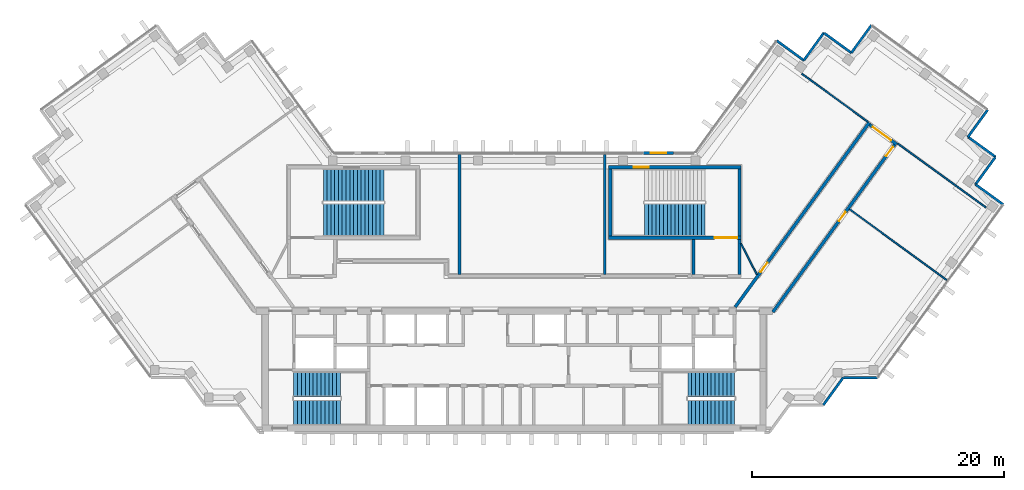
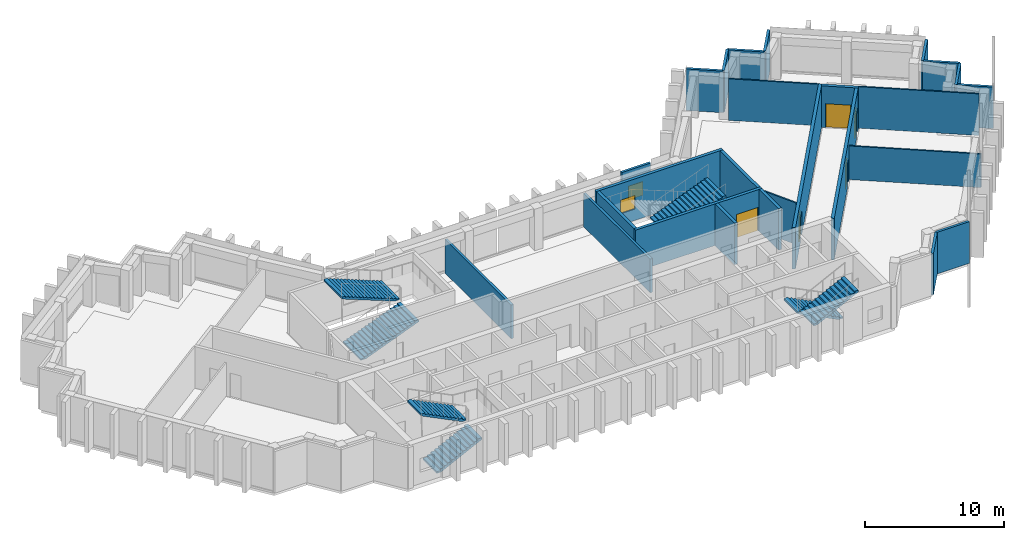
# One storey, part 7 of 10: 26 walls, 7 stair flights, 5 doors, 2 windows, 7 openings, 4 elements without a shape of their own.
"""IFC4 building model written with IfcOpenShell, lengths in metres."""

from ifc_helpers import new_model, si_unit, direction, frame, frame_2d, origin, place, context, subcontext, project, spatial, polyline, rectangle, outline, extrude, material, layer, layer_set, type_object, element, fill, aggregate, save


model = new_model("IFC4")

# Units and contexts
model_context = context("Model", 3, precision=1e-05, world=origin(), true_north=direction((0.0, 1.0)))
body_context = subcontext(model_context, "Body", "Model", "MODEL_VIEW")
ifc_project = project(units=[si_unit("LENGTHUNIT", "METRE"), si_unit("AREAUNIT", "SQUARE_METRE"), si_unit("VOLUMEUNIT", "CUBIC_METRE"), si_unit("PLANEANGLEUNIT", "RADIAN"), si_unit("MASSUNIT", "GRAM", prefix="KILO")], contexts=[model_context])

# Site, building, storey
site_placement = place(None, origin())
site = spatial("IfcSite", under=ifc_project, at=site_placement, CompositionType="ELEMENT")
building_placement = place(site_placement, origin())
building = spatial("IfcBuilding", under=site, at=building_placement, Name="Quipu Civic Tower", CompositionType="ELEMENT")
storey_placement = place(building_placement, frame((0.0, 0.0, 327.0)))
storey = spatial("IfcBuildingStorey", under=building, at=storey_placement, Name="L76", CompositionType="ELEMENT", Elevation=327.0)

# Walls
ifc_material_1 = material(Name="Fired clay blockwork", Category="masonry")
ifc_layer_1 = layer(ifc_material_1, 0.199951171875)
ifc_layer_set_1 = layer_set([ifc_layer_1], Name="Fired clay blockwork")
wall_type_1 = type_object("IfcWallType", Name="Blockwork wall 200", PredefinedType="SOLIDWALL", material=ifc_layer_set_1)
for number, where, z_axis, x_axis, name in (
    (1, (-4.339111328125, 1.449951171875, 0.0), (0.0, 0.0, 1.0), (0.0, 1.0, 0.0), "Partition P04"),
    (2, (7.197998046875, 1.449951171875, 0.0), (0.0, 0.0, 1.0), (-0.002377476217, 0.999997173799, 0.0), "Partition P08"),
):
    element("IfcWall", number, at=place(storey_placement, frame(where, z_axis=z_axis, x_axis=x_axis)), inside=storey, type_object=wall_type_1, Name=name, PredefinedType="SOLIDWALL", context=body_context, shape_type="SweptSolid", body=[
        extrude(rectangle(XDim=9.550048828125, YDim=0.199951171875, at=frame_2d((4.77490234375, 0.0))), origin(), (0.0, 0.0, 1.0), 2.949951171875),
    ])
ifc_material_2 = material(Name="Concrete C70/85", Category="concrete")
ifc_layer_2 = layer(ifc_material_2, 0.25)
ifc_layer_set_2 = layer_set([ifc_layer_2], Name="Concrete C70/85")
wall_type_2 = type_object("IfcWallType", Name="Core wall 250", PredefinedType="SHEAR", material=ifc_layer_set_2)
for number, where, z_axis, x_axis, name in (
    (3, (14.22509765625, 1.449951171875, 0.0), (0.0, 0.0, 1.0), (0.0, 1.0, 0.0), "Core wall"),
    (4, (17.875, 1.449951171875, 0.0), (0.0, 0.0, 1.0), (0.0, 1.0, 0.0), "Core wall"),
):
    element("IfcWall", number, at=place(storey_placement, frame(where, z_axis=z_axis, x_axis=x_axis)), inside=storey, type_object=wall_type_2, Name=name, PredefinedType="SHEAR", context=body_context, shape_type="SweptSolid", body=[
        extrude(rectangle(XDim=2.800048828125, YDim=0.25, at=frame_2d((1.39990234375, 0.0))), origin(), (0.0, 0.0, 1.0), 3.64990234375),
    ])

# Wall, opening, door
wall_1_placement = place(storey_placement, frame((7.5, 4.375, 0.0), z_axis=(0.0, 0.0, 1.0), x_axis=(1.0, 0.0, 0.0)))
wall_1 = element("IfcWall", 5, at=wall_1_placement, inside=storey, type_object=wall_type_2, Name="Core wall", PredefinedType="SHEAR", context=body_context, shape_type="SweptSolid", body=[
    extrude(rectangle(XDim=10.5, YDim=0.25, at=frame_2d((5.25, 0.0))), origin(), (0.0, 0.0, 1.0), 3.64990234375),
])
opening_1_placement = place(wall_1_placement, frame((8.39990234375, 0.0, 0.0)))
opening_1 = element("IfcOpeningElement", 6, at=opening_1_placement, cuts=wall_1, Name="Opening CD-31", PredefinedType="OPENING", context=body_context, shape_type="SweptSolid", body=[
    extrude(rectangle(XDim=1.800048828125, YDim=2.10009765625, at=frame_2d((0.89990234375, 1.050048828125))), frame((0.0, 0.135009765625, 0.0), z_axis=(0.0, -1.0, 0.0), x_axis=(1.0, 0.0, 0.0)), (0.0, 0.0, 1.0), 0.27001953125),
])
ifc_material_3 = material(Name="Fire rated steel door", Category="steel")
door_type_1 = type_object("IfcDoorType", Name="Fire door FD90 double 1800 x 2100", OperationType="NOTDEFINED", PredefinedType="DOOR", material=ifc_material_3)
door_1_placement = place(opening_1_placement, origin())
door_1 = element("IfcDoor", 7, at=door_1_placement, inside=storey, type_object=door_type_1, Name="Door", OperationType="DOUBLE_DOOR_SINGLE_SWING", OverallHeight=2.10009765625, OverallWidth=1.800048828125, PredefinedType="DOOR", context=body_context, shape_type="SweptSolid", body=[
    extrude(rectangle(XDim=1.800048828125, YDim=2.10009765625, at=frame_2d((0.89990234375, 1.050048828125))), frame((0.0, 0.02490234375, 0.0), z_axis=(0.0, -1.0, 0.0), x_axis=(1.0, 0.0, 0.0)), (0.0, 0.0, 1.0), 0.050048828125),
])
fill(opening_1, door_1)

# Walls
for number, where, z_axis, x_axis, name in (
    (8, (7.625, 4.5, 0.0), (0.0, 0.0, 1.0), (0.0, 1.0, 0.0), "Core wall"),
    (9, (17.875, 4.5, 0.0), (0.0, 0.0, 1.0), (0.0, 1.0, 0.0), "Core wall"),
):
    element("IfcWall", number, at=place(storey_placement, frame(where, z_axis=z_axis, x_axis=x_axis)), inside=storey, type_object=wall_type_2, Name=name, PredefinedType="SHEAR", context=body_context, shape_type="SweptSolid", body=[
        extrude(rectangle(XDim=5.35009765625, YDim=0.25, at=frame_2d((2.675048828125, 0.0))), origin(), (0.0, 0.0, 1.0), 3.64990234375),
    ])

# Wall, opening, window
wall_2_placement = place(storey_placement, frame((7.5, 9.97509765625, 0.0), z_axis=(0.0, 0.0, 1.0), x_axis=(1.0, 0.0, 0.0)))
wall_2 = element("IfcWall", 10, at=wall_2_placement, inside=storey, type_object=wall_type_2, Name="Core wall", PredefinedType="SHEAR", context=body_context, shape_type="SweptSolid", body=[
    extrude(rectangle(XDim=10.5, YDim=0.25, at=frame_2d((5.25, 0.0))), origin(), (0.0, 0.0, 1.0), 3.64990234375),
])
opening_2_placement = place(wall_2_placement, frame((2.0, 0.0, 1.0)))
opening_2 = element("IfcOpeningElement", 11, at=opening_2_placement, cuts=wall_2, Name="Opening SV-4", PredefinedType="OPENING", context=body_context, shape_type="SweptSolid", body=[
    extrude(rectangle(XDim=1.199951171875, YDim=1.199951171875, at=frame_2d((0.60009765625, 0.60009765625))), frame((0.0, 0.135009765625, 0.0), z_axis=(0.0, -1.0, 0.0), x_axis=(1.0, 0.0, 0.0)), (0.0, 0.0, 1.0), 0.27001953125),
])
ifc_material_4 = material(Name="Aluminium louvre", Category="aluminium")
window_type_1 = type_object("IfcWindowType", Name="Stair ventilation louvre 1200 x 1200", PartitioningType="SINGLE_PANEL", PredefinedType="WINDOW", material=ifc_material_4)
window_1_placement = place(opening_2_placement, origin())
window_1 = element("IfcWindow", 12, at=window_1_placement, inside=storey, type_object=window_type_1, Name="Stair ventilation opening", OverallHeight=1.199951171875, OverallWidth=1.199951171875, PartitioningType="SINGLE_PANEL", PredefinedType="WINDOW", context=body_context, shape_type="SweptSolid", body=[
    extrude(rectangle(XDim=1.199951171875, YDim=1.199951171875, at=frame_2d((0.60009765625, 0.60009765625))), frame((0.0, 0.030029296875, 0.0), z_axis=(0.0, -1.0, 0.0), x_axis=(1.0, 0.0, 0.0)), (0.0, 0.0, 1.0), 0.06005859375),
])
fill(opening_2, window_1)

# Wall, opening, door
ifc_material_5 = material(Name="Concrete C50/60", Category="concrete")
ifc_layer_3 = layer(ifc_material_5, 0.25)
ifc_layer_set_3 = layer_set([ifc_layer_3], Name="Concrete C50/60")
wall_type_3 = type_object("IfcWallType", Name="Corridor wall 250 concrete", PredefinedType="SOLIDWALL", material=ifc_layer_set_3)
wall_3_placement = place(storey_placement, frame((17.544921875, -1.124755859375, 0.0), z_axis=(0.0, 0.0, 1.0), x_axis=(0.58779555165, 0.809009511354, 0.0)))
wall_3 = element("IfcWall", 13, at=wall_3_placement, inside=storey, type_object=wall_type_3, Name="Corridor wall C01", PredefinedType="SOLIDWALL", context=body_context, shape_type="SweptSolid", body=[
    extrude(rectangle(XDim=18.10302734375, YDim=0.25, at=frame_2d((9.051513671875, 0.0))), origin(), (0.0, 0.0, 1.0), 3.64990234375),
])
opening_3_placement = place(wall_3_placement, frame((3.44140625, 0.0, 0.0)))
opening_3 = element("IfcOpeningElement", 14, at=opening_3_placement, cuts=wall_3, Name="Opening D001", PredefinedType="OPENING", context=body_context, shape_type="SweptSolid", body=[
    extrude(rectangle(XDim=0.89990234375, YDim=2.10009765625, at=frame_2d((0.449951171875, 1.050048828125))), frame((0.0, 0.135009765625, 0.0), z_axis=(0.0, -1.0, 0.0), x_axis=(1.0, 0.0, 0.0)), (0.0, 0.0, 1.0), 0.27001953125),
])
ifc_material_6 = material(Name="Fire rated timber door set with metal frame", Category="wood")
door_type_2 = type_object("IfcDoorType", Name="Single door 900 x 2100 FD60", OperationType="NOTDEFINED", PredefinedType="DOOR", material=ifc_material_6)
door_2_placement = place(opening_3_placement, origin())
door_2 = element("IfcDoor", 15, at=door_2_placement, inside=storey, type_object=door_type_2, Name="Door D001", OperationType="SINGLE_SWING_LEFT", OverallHeight=2.10009765625, OverallWidth=0.89990234375, PredefinedType="DOOR", context=body_context, shape_type="SweptSolid", body=[
    extrude(rectangle(XDim=0.89990234375, YDim=2.10009765625, at=frame_2d((0.449951171875, 1.050048828125))), frame((0.0, 0.02490234375, 0.0), z_axis=(0.0, -1.0, 0.0), x_axis=(1.0, 0.0, 0.0)), (0.0, 0.0, 1.0), 0.050048828125),
])
fill(opening_3, door_2)

wall_4_placement = place(storey_placement, frame((28.21337890625, 13.34619140625, 0.0), z_axis=(0.0, 0.0, 1.0), x_axis=(0.809006914995, -0.587799125119, 0.0)))
wall_4 = element("IfcWall", 16, at=wall_4_placement, inside=storey, type_object=wall_type_3, Name="Corridor wall C02", PredefinedType="SOLIDWALL", context=body_context, shape_type="SweptSolid", body=[
    extrude(rectangle(XDim=2.64990234375, YDim=0.25, at=frame_2d((1.324951171875, 0.0))), origin(), (0.0, 0.0, 1.0), 3.64990234375),
])
opening_4_placement = place(wall_4_placement, frame((0.30029296875, 0.0, 0.0)))
opening_4 = element("IfcOpeningElement", 17, at=opening_4_placement, cuts=wall_4, Name="Opening D004", PredefinedType="OPENING", context=body_context, shape_type="SweptSolid", body=[
    extrude(rectangle(XDim=1.800048828125, YDim=2.10009765625, at=frame_2d((0.89990234375, 1.050048828125))), frame((0.0, 0.135009765625, 0.0), z_axis=(0.0, -1.0, 0.0), x_axis=(1.0, 0.0, 0.0)), (0.0, 0.0, 1.0), 0.27001953125),
])
ifc_material_7 = material(Name="Fire rated timber door set with metal frame", Category="wood")
door_type_3 = type_object("IfcDoorType", Name="Double door 1800 x 2100 FD60", OperationType="DOUBLE_DOOR_SINGLE_SWING", PredefinedType="DOOR", material=ifc_material_7)
door_3_placement = place(opening_4_placement, origin())
door_3 = element("IfcDoor", 18, at=door_3_placement, inside=storey, type_object=door_type_3, Name="Door D004", OperationType="DOUBLE_DOOR_SINGLE_SWING", OverallHeight=2.10009765625, OverallWidth=1.800048828125, PredefinedType="DOOR", context=body_context, shape_type="SweptSolid", body=[
    extrude(rectangle(XDim=1.800048828125, YDim=2.10009765625, at=frame_2d((0.89990234375, 1.050048828125))), frame((0.0, 0.02490234375, 0.0), z_axis=(0.0, -1.0, 0.0), x_axis=(1.0, 0.0, 0.0)), (0.0, 0.0, 1.0), 0.050048828125),
])
fill(opening_4, door_3)

# Wall, openings, doors
wall_5_placement = place(storey_placement, frame((30.1826171875, 11.760986328125, 0.0), z_axis=(0.0, 0.0, 1.0), x_axis=(-0.587781762867, -0.80901952958, 0.0)))
wall_5 = element("IfcWall", 19, at=wall_5_placement, inside=storey, type_object=wall_type_3, Name="Corridor wall C03", PredefinedType="SOLIDWALL", context=body_context, shape_type="SweptSolid", body=[
    extrude(rectangle(XDim=16.42041015625, YDim=0.25, at=frame_2d((8.210205078125, 0.0))), origin(), (0.0, 0.0, 1.0), 3.64990234375),
])
opening_5_placement = place(wall_5_placement, frame((0.224609375, 0.0, 0.0)))
opening_5 = element("IfcOpeningElement", 20, at=opening_5_placement, cuts=wall_5, Name="Opening D003", PredefinedType="OPENING", context=body_context, shape_type="SweptSolid", body=[
    extrude(rectangle(XDim=0.89990234375, YDim=2.10009765625, at=frame_2d((0.449951171875, 1.050048828125))), frame((0.0, 0.135009765625, 0.0), z_axis=(0.0, -1.0, 0.0), x_axis=(1.0, 0.0, 0.0)), (0.0, 0.0, 1.0), 0.27001953125),
])
opening_6_placement = place(wall_5_placement, frame((6.604736328125, 0.0, 0.0)))
opening_6 = element("IfcOpeningElement", 21, at=opening_6_placement, cuts=wall_5, Name="Opening D002", PredefinedType="OPENING", context=body_context, shape_type="SweptSolid", body=[
    extrude(rectangle(XDim=0.89990234375, YDim=2.10009765625, at=frame_2d((0.449951171875, 1.050048828125))), frame((0.0, 0.135009765625, 0.0), z_axis=(0.0, -1.0, 0.0), x_axis=(1.0, 0.0, 0.0)), (0.0, 0.0, 1.0), 0.27001953125),
])
door_4_placement = place(opening_5_placement, origin())
door_4 = element("IfcDoor", 22, at=door_4_placement, inside=storey, type_object=door_type_2, Name="Door D003", OperationType="SINGLE_SWING_LEFT", OverallHeight=2.10009765625, OverallWidth=0.89990234375, PredefinedType="DOOR", context=body_context, shape_type="SweptSolid", body=[
    extrude(rectangle(XDim=0.89990234375, YDim=2.10009765625, at=frame_2d((0.449951171875, 1.050048828125))), frame((0.0, 0.02490234375, 0.0), z_axis=(0.0, -1.0, 0.0), x_axis=(1.0, 0.0, 0.0)), (0.0, 0.0, 1.0), 0.050048828125),
])
fill(opening_5, door_4)
door_5_placement = place(opening_6_placement, origin())
door_5 = element("IfcDoor", 23, at=door_5_placement, inside=storey, type_object=door_type_2, Name="Door D002", OperationType="SINGLE_SWING_LEFT", OverallHeight=2.10009765625, OverallWidth=0.89990234375, PredefinedType="DOOR", context=body_context, shape_type="SweptSolid", body=[
    extrude(rectangle(XDim=0.89990234375, YDim=2.10009765625, at=frame_2d((0.449951171875, 1.050048828125))), frame((0.0, 0.02490234375, 0.0), z_axis=(0.0, -1.0, 0.0), x_axis=(1.0, 0.0, 0.0)), (0.0, 0.0, 1.0), 0.050048828125),
])
fill(opening_6, door_5)

# Walls
ifc_material_8 = material(Name="Gypsum plasterboard on light gauge framing")
ifc_layer_4 = layer(ifc_material_8, 0.1201171875)
ifc_layer_set_4 = layer_set([ifc_layer_4], Name="Gypsum plasterboard on light gauge framing")
wall_type_4 = type_object("IfcWallType", Name="Partition 120 plasterboard", PredefinedType="PARTITIONING", material=ifc_layer_set_4)
wall_6_placement = place(storey_placement, frame((28.0732421875, 13.577880859375, 0.0), z_axis=(0.0, 0.0, 1.0), x_axis=(-0.809000932727, 0.587807358619, 0.0)))
element("IfcWall", 24, at=wall_6_placement, inside=storey, type_object=wall_type_4, Name="Partition P01", PredefinedType="PARTITIONING", context=body_context, shape_type="SweptSolid", body=[
    extrude(rectangle(XDim=6.49560546875, YDim=0.1201171875, at=frame_2d((3.247802734375, 0.0))), origin(), (0.0, 0.0, 1.0), 3.64990234375),
])
wall_7_placement = place(storey_placement, frame((37.4580078125, 6.759765625, 0.0), z_axis=(0.0, 0.0, 1.0), x_axis=(-0.809016295501, 0.587786214209, 0.0)))
element("IfcWall", 25, at=wall_7_placement, inside=storey, type_object=wall_type_4, Name="Partition P02", PredefinedType="PARTITIONING", context=body_context, shape_type="SweptSolid", body=[
    extrude(rectangle(XDim=8.700439453125, YDim=0.1201171875, at=frame_2d((4.35009765625, 0.0))), origin(), (0.0, 0.0, 1.0), 3.64990234375),
])
wall_8_placement = place(storey_placement, frame((26.618896484375, 6.643310546875, 0.0), z_axis=(0.0, 0.0, 1.0), x_axis=(0.807594822539, -0.589737740532, 0.0)))
element("IfcWall", 26, at=wall_8_placement, inside=storey, type_object=wall_type_4, Name="Partition P03", PredefinedType="PARTITIONING", context=body_context, shape_type="SweptSolid", body=[
    extrude(rectangle(XDim=9.550048828125, YDim=0.1201171875, at=frame_2d((4.77490234375, 0.0))), origin(), (0.0, 0.0, 1.0), 2.949951171875),
])
wall_9_placement = place(storey_placement, frame((18.0, 3.925048828125, 0.0), z_axis=(0.0, 0.0, 1.0), x_axis=(0.453950796792, -0.891026752736, 0.0)))
element("IfcWall", 27, at=wall_9_placement, inside=storey, type_object=wall_type_4, Name="Partition P09", PredefinedType="PARTITIONING", context=body_context, shape_type="SweptSolid", body=[
    extrude(rectangle(XDim=2.77783203125, YDim=0.1201171875, at=frame_2d((1.388916015625, 0.0))), origin(), (0.0, 0.0, 1.0), 3.64990234375),
])
ifc_material_9 = material(Name="Precast concrete C40/50", Category="concrete")
wall_type_5 = type_object("IfcWallType", Name="Precast cladding wall", PredefinedType="SOLIDWALL", material=ifc_material_9)
wall_10_placement = place(storey_placement, frame((36.0048828125, 12.3515625, 0.0), z_axis=(0.0, 0.0, 1.0), x_axis=(0.587762999008, 0.809033161865, 0.0)))
element("IfcWall", 28, at=wall_10_placement, inside=storey, type_object=wall_type_5, Name="Precast cladding wall L76 P21", PredefinedType="SOLIDWALL", context=body_context, shape_type="SweptSolid", body=[
    extrude(rectangle(XDim=2.699951171875, YDim=0.199951171875, at=frame_2d((1.35009765625, 0.0))), origin(), (0.0, 0.0, 1.0), 3.64990234375),
])
for number, where, z_axis, x_axis, name in (
    (29, (28.3544921875, 21.247314453125, 0.0), (0.0, 0.0, 1.0), (-0.587720002413, -0.809064397168, 0.0), "Precast cladding wall L76 P23"),
    (30, (26.78466796875, 19.03564453125, 0.0), (0.0, 0.0, 1.0), (-0.809064397168, 0.587720002413, 0.0), "Precast cladding wall L76 P24"),
):
    element("IfcWall", number, at=place(storey_placement, frame(where, z_axis=z_axis, x_axis=x_axis)), inside=storey, type_object=wall_type_5, Name=name, PredefinedType="SOLIDWALL", context=body_context, shape_type="SweptSolid", body=[
        extrude(rectangle(XDim=2.7001953125, YDim=0.199951171875, at=frame_2d((1.35009765625, 0.0))), origin(), (0.0, 0.0, 1.0), 3.64990234375),
    ])
for number, where, z_axis, x_axis, name in (
    (31, (24.583251953125, 20.64990234375, 0.0), (0.0, 0.0, 1.0), (-0.587762999008, -0.809033161865, 0.0), "Precast cladding wall L76 P25"),
    (32, (23.01318359375, 18.438232421875, 0.0), (0.0, 0.0, 1.0), (-0.808990163075, 0.587822180636, 0.0), "Precast cladding wall L76 P26"),
):
    element("IfcWall", number, at=place(storey_placement, frame(where, z_axis=z_axis, x_axis=x_axis)), inside=storey, type_object=wall_type_5, Name=name, PredefinedType="SOLIDWALL", context=body_context, shape_type="SweptSolid", body=[
        extrude(rectangle(XDim=2.699951171875, YDim=0.199951171875, at=frame_2d((1.35009765625, 0.0))), origin(), (0.0, 0.0, 1.0), 3.64990234375),
    ])

# Wall, opening, window
wall_11_placement = place(storey_placement, frame((12.655029296875, 11.10009765625, 0.0), z_axis=(0.0, 0.0, 1.0), x_axis=(-1.0, 0.0, 0.0)))
wall_11 = element("IfcWall", 33, at=wall_11_placement, inside=storey, type_object=wall_type_5, Name="Vent surround SF-L74-2", PredefinedType="SOLIDWALL", context=body_context, shape_type="SweptSolid", body=[
    extrude(rectangle(XDim=2.3916015625, YDim=0.199951171875, at=frame_2d((1.19580078125, 0.0))), origin(), (0.0, 0.0, 1.0), 3.64990234375),
])
opening_7_placement = place(wall_11_placement, frame((0.595703125, 0.0, 1.0)))
opening_7 = element("IfcOpeningElement", 34, at=opening_7_placement, cuts=wall_11, Name="Opening SF-L74-2", PredefinedType="OPENING", context=body_context, shape_type="SweptSolid", body=[
    extrude(rectangle(XDim=1.199951171875, YDim=1.199951171875, at=frame_2d((0.60009765625, 0.60009765625))), frame((0.0, 0.10986328125, 0.0), z_axis=(0.0, -1.0, 0.0), x_axis=(1.0, 0.0, 0.0)), (0.0, 0.0, 1.0), 0.219970703125),
])
ifc_material_10 = material(Name="Anodised aluminium louvre", Category="aluminium")
window_type_2 = type_object("IfcWindowType", Name="Stair vent louvre window P3", PartitioningType="SINGLE_PANEL", PredefinedType="WINDOW", material=ifc_material_10)
window_2_placement = place(opening_7_placement, origin())
window_2 = element("IfcWindow", 35, at=window_2_placement, inside=storey, type_object=window_type_2, Name="Stair vent louvre SF-L74-2", OverallHeight=1.199951171875, OverallWidth=1.199951171875, PartitioningType="SINGLE_PANEL", PredefinedType="WINDOW", context=body_context, shape_type="SweptSolid", body=[
    extrude(rectangle(XDim=1.199951171875, YDim=1.199951171875, at=frame_2d((0.60009765625, 0.60009765625))), frame((0.0, 0.030029296875, 0.0), z_axis=(0.0, -1.0, 0.0), x_axis=(1.0, 0.0, 0.0)), (0.0, 0.0, 1.0), 0.06005859375),
])
fill(opening_7, window_2)

# Walls
wall_12_placement = place(storey_placement, frame((24.533203125, -8.90869140625, 0.0), z_axis=(0.0, 0.0, 1.0), x_axis=(0.587720002413, 0.809064397168, 0.0)))
element("IfcWall", 36, at=wall_12_placement, inside=storey, type_object=wall_type_5, Name="Precast cladding wall L76 P34", PredefinedType="SOLIDWALL", context=body_context, shape_type="SweptSolid", body=[
    extrude(rectangle(XDim=2.7001953125, YDim=0.199951171875, at=frame_2d((1.35009765625, 0.0))), origin(), (0.0, 0.0, 1.0), 3.64990234375),
])
for number, where, z_axis, x_axis, name in (
    (37, (26.1298828125, -6.71923828125, 0.0), (0.0, 0.0, 1.0), (1.0, 0.0, 0.0), "Precast cladding wall L76 P35"),
    (38, (38.813720703125, 7.010498046875, 0.0), (0.0, 0.0, 1.0), (-0.809033161865, 0.587762999008, 0.0), "Precast cladding wall L76 1"),
    (39, (36.60205078125, 8.580322265625, 0.0), (0.0, 0.0, 1.0), (0.587822180636, 0.808990163075, 0.0), "Precast cladding wall L76 2"),
    (40, (38.21630859375, 10.78173828125, 0.0), (0.0, 0.0, 1.0), (-0.809033161865, 0.587762999008, 0.0), "Precast cladding wall L76 3"),
):
    element("IfcWall", number, at=place(storey_placement, frame(where, z_axis=z_axis, x_axis=x_axis)), inside=storey, type_object=wall_type_5, Name=name, PredefinedType="SOLIDWALL", context=body_context, shape_type="SweptSolid", body=[
        extrude(rectangle(XDim=2.699951171875, YDim=0.199951171875, at=frame_2d((1.35009765625, 0.0))), origin(), (0.0, 0.0, 1.0), 3.64990234375),
    ])

# Stair, stair flights
ifc_material_11 = material(Name="Concrete C40/50", Category="concrete")
stair_type_1 = type_object("IfcStairType", Name="Half turn stair 2000", PredefinedType="HALF_TURN_STAIR", material=ifc_material_11)
stair_1_placement = place(storey_placement, origin())
stair_1 = element("IfcStair", 41, at=stair_1_placement, inside=storey, type_object=stair_type_1, Name="Exit stair 1", PredefinedType="HALF_TURN_STAIR")
ifc_material_12 = material(Name="Concrete C40/50", Category="concrete")
stair_flight_type_1 = type_object("IfcStairFlightType", Name="Stair flight 2000", PredefinedType="STRAIGHT", material=ifc_material_12)
stair_flight_1_placement = place(storey_placement, frame((-17.5, -9.5, 0.0), z_axis=(0.0, 0.0, 1.0), x_axis=(1.0, 0.0, 0.0)))
stair_flight_1 = element("IfcStairFlight", 42, at=stair_flight_1_placement, type_object=stair_flight_type_1, Name="ST-1 flight 1", NumberOfRisers=13, NumberOfTreads=12, PredefinedType="STRAIGHT", RiserHeight=0.153846154, TreadLength=0.31, context=body_context, shape_type="SweptSolid", body=[
    extrude(outline(polyline([(0.0, 0.0), (0.0, 0.15380859375), (0.31005859375, 0.15380859375), (0.31005859375, 0.3076171875), (0.6201171875, 0.3076171875), (0.6201171875, 0.46142578125), (0.929931640625, 0.46142578125), (0.929931640625, 0.615478515625), (1.239990234375, 0.615478515625), (1.239990234375, 0.769287109375), (1.550048828125, 0.769287109375), (1.550048828125, 0.923095703125), (1.860107421875, 0.923095703125), (1.860107421875, 1.076904296875), (2.169921875, 1.076904296875), (2.169921875, 1.230712890625), (2.47998046875, 1.230712890625), (2.47998046875, 1.384521484375), (2.7900390625, 1.384521484375), (2.7900390625, 1.53857421875), (3.10009765625, 1.53857421875), (3.10009765625, 1.6923828125), (3.409912109375, 1.6923828125), (3.409912109375, 1.84619140625), (3.719970703125, 1.84619140625), (3.719970703125, 2.0), (3.719970703125, 1.6787109375), (0.337158203125, 0.0), (0.0, 0.0)])), frame((0.0, 1.0, 0.0), z_axis=(0.0, -1.0, 0.0), x_axis=(1.0, 0.0, 0.0)), (0.0, 0.0, 1.0), 2.0),
])
stair_flight_2_placement = place(storey_placement, frame((-13.780029296875, -7.25, 2.0), z_axis=(0.0, 0.0, 1.0), x_axis=(-1.0, 0.0, 0.0)))
stair_flight_2 = element("IfcStairFlight", 43, at=stair_flight_2_placement, type_object=stair_flight_type_1, Name="ST-1 flight 2", NumberOfRisers=13, NumberOfTreads=12, PredefinedType="STRAIGHT", RiserHeight=0.153846154, TreadLength=0.31, context=body_context, shape_type="SweptSolid", body=[
    extrude(outline(polyline([(0.0, 0.0), (0.0, 0.15380859375), (0.31005859375, 0.15380859375), (0.31005859375, 0.3076171875), (0.6201171875, 0.3076171875), (0.6201171875, 0.46142578125), (0.929931640625, 0.46142578125), (0.929931640625, 0.615478515625), (1.239990234375, 0.615478515625), (1.239990234375, 0.769287109375), (1.550048828125, 0.769287109375), (1.550048828125, 0.923095703125), (1.860107421875, 0.923095703125), (1.860107421875, 1.076904296875), (2.169921875, 1.076904296875), (2.169921875, 1.230712890625), (2.47998046875, 1.230712890625), (2.47998046875, 1.384521484375), (2.7900390625, 1.384521484375), (2.7900390625, 1.53857421875), (3.10009765625, 1.53857421875), (3.10009765625, 1.6923828125), (3.409912109375, 1.6923828125), (3.409912109375, 1.84619140625), (3.719970703125, 1.84619140625), (3.719970703125, 2.0), (3.719970703125, 1.6787109375), (0.337158203125, 0.0), (0.0, 0.0)])), frame((0.0, 1.0, 0.0), z_axis=(0.0, -1.0, 0.0), x_axis=(1.0, 0.0, 0.0)), (0.0, 0.0, 1.0), 2.0),
])
aggregate(stair_1, [stair_flight_1, stair_flight_2])

stair_2_placement = place(storey_placement, origin())
stair_2 = element("IfcStair", 44, at=stair_2_placement, inside=storey, type_object=stair_type_1, Name="Exit stair 2", PredefinedType="HALF_TURN_STAIR")
stair_flight_3_placement = place(storey_placement, frame((17.5, -7.25, 0.0), z_axis=(0.0, 0.0, 1.0), x_axis=(-1.0, 0.0, 0.0)))
stair_flight_3 = element("IfcStairFlight", 45, at=stair_flight_3_placement, type_object=stair_flight_type_1, Name="ST-2 flight 1", NumberOfRisers=13, NumberOfTreads=12, PredefinedType="STRAIGHT", RiserHeight=0.153846154, TreadLength=0.31, context=body_context, shape_type="SweptSolid", body=[
    extrude(outline(polyline([(0.0, 0.0), (0.0, 0.15380859375), (0.31005859375, 0.15380859375), (0.31005859375, 0.3076171875), (0.6201171875, 0.3076171875), (0.6201171875, 0.46142578125), (0.929931640625, 0.46142578125), (0.929931640625, 0.615478515625), (1.239990234375, 0.615478515625), (1.239990234375, 0.769287109375), (1.550048828125, 0.769287109375), (1.550048828125, 0.923095703125), (1.860107421875, 0.923095703125), (1.860107421875, 1.076904296875), (2.169921875, 1.076904296875), (2.169921875, 1.230712890625), (2.47998046875, 1.230712890625), (2.47998046875, 1.384521484375), (2.7900390625, 1.384521484375), (2.7900390625, 1.53857421875), (3.10009765625, 1.53857421875), (3.10009765625, 1.6923828125), (3.409912109375, 1.6923828125), (3.409912109375, 1.84619140625), (3.719970703125, 1.84619140625), (3.719970703125, 2.0), (3.719970703125, 1.6787109375), (0.337158203125, 0.0), (0.0, 0.0)])), frame((0.0, 1.0, 0.0), z_axis=(0.0, -1.0, 0.0), x_axis=(1.0, 0.0, 0.0)), (0.0, 0.0, 1.0), 2.0),
])
stair_flight_4_placement = place(storey_placement, frame((13.780029296875, -9.5, 2.0), z_axis=(0.0, 0.0, 1.0), x_axis=(1.0, 0.0, 0.0)))
stair_flight_4 = element("IfcStairFlight", 46, at=stair_flight_4_placement, type_object=stair_flight_type_1, Name="ST-2 flight 2", NumberOfRisers=13, NumberOfTreads=12, PredefinedType="STRAIGHT", RiserHeight=0.153846154, TreadLength=0.31, context=body_context, shape_type="SweptSolid", body=[
    extrude(outline(polyline([(0.0, 0.0), (0.0, 0.15380859375), (0.31005859375, 0.15380859375), (0.31005859375, 0.3076171875), (0.6201171875, 0.3076171875), (0.6201171875, 0.46142578125), (0.929931640625, 0.46142578125), (0.929931640625, 0.615478515625), (1.239990234375, 0.615478515625), (1.239990234375, 0.769287109375), (1.550048828125, 0.769287109375), (1.550048828125, 0.923095703125), (1.860107421875, 0.923095703125), (1.860107421875, 1.076904296875), (2.169921875, 1.076904296875), (2.169921875, 1.230712890625), (2.47998046875, 1.230712890625), (2.47998046875, 1.384521484375), (2.7900390625, 1.384521484375), (2.7900390625, 1.53857421875), (3.10009765625, 1.53857421875), (3.10009765625, 1.6923828125), (3.409912109375, 1.6923828125), (3.409912109375, 1.84619140625), (3.719970703125, 1.84619140625), (3.719970703125, 2.0), (3.719970703125, 1.6787109375), (0.337158203125, 0.0), (0.0, 0.0)])), frame((0.0, 1.0, 0.0), z_axis=(0.0, -1.0, 0.0), x_axis=(1.0, 0.0, 0.0)), (0.0, 0.0, 1.0), 2.0),
])
aggregate(stair_2, [stair_flight_3, stair_flight_4])

ifc_material_13 = material(Name="Concrete C40/50", Category="concrete")
stair_type_2 = type_object("IfcStairType", Name="Half turn stair 2600", PredefinedType="HALF_TURN_STAIR", material=ifc_material_13)
stair_3_placement = place(storey_placement, origin())
stair_3 = element("IfcStair", 47, at=stair_3_placement, inside=storey, type_object=stair_type_2, Name="Exit stair 3", PredefinedType="HALF_TURN_STAIR")
ifc_material_14 = material(Name="Concrete C40/50", Category="concrete")
stair_flight_type_2 = type_object("IfcStairFlightType", Name="Stair flight 2600", PredefinedType="STRAIGHT", material=ifc_material_14)
stair_flight_5_placement = place(storey_placement, frame((-15.14990234375, 5.800048828125, 0.0), z_axis=(0.0, 0.0, 1.0), x_axis=(1.0, 0.0, 0.0)))
stair_flight_5 = element("IfcStairFlight", 48, at=stair_flight_5_placement, type_object=stair_flight_type_2, Name="ST-3 flight 1", NumberOfRisers=17, NumberOfTreads=16, PredefinedType="STRAIGHT", RiserHeight=0.117647059, TreadLength=0.3, context=body_context, shape_type="SweptSolid", body=[
    extrude(outline(polyline([(0.0, 0.0), (0.0, 0.11767578125), (0.300048828125, 0.11767578125), (0.300048828125, 0.2353515625), (0.60009765625, 0.2353515625), (0.60009765625, 0.35302734375), (0.89990234375, 0.35302734375), (0.89990234375, 0.470703125), (1.199951171875, 0.470703125), (1.199951171875, 0.588134765625), (1.5, 0.588134765625), (1.5, 0.705810546875), (1.800048828125, 0.705810546875), (1.800048828125, 0.823486328125), (2.10009765625, 0.823486328125), (2.10009765625, 0.941162109375), (2.39990234375, 0.941162109375), (2.39990234375, 1.058837890625), (2.699951171875, 1.058837890625), (2.699951171875, 1.176513671875), (3.0, 1.176513671875), (3.0, 1.294189453125), (3.300048828125, 1.294189453125), (3.300048828125, 1.411865234375), (3.60009765625, 1.411865234375), (3.60009765625, 1.529296875), (3.89990234375, 1.529296875), (3.89990234375, 1.64697265625), (4.199951171875, 1.64697265625), (4.199951171875, 1.7646484375), (4.5, 1.7646484375), (4.5, 1.88232421875), (4.800048828125, 1.88232421875), (4.800048828125, 2.0), (4.800048828125, 1.721435546875), (0.41064453125, 0.0), (0.0, 0.0)])), frame((0.0, 1.300048828125, 0.0), z_axis=(0.0, -1.0, 0.0), x_axis=(1.0, 0.0, 0.0)), (0.0, 0.0, 1.0), 2.60009765625),
])
stair_flight_6_placement = place(storey_placement, frame((-10.35009765625, 8.550048828125, 2.0), z_axis=(0.0, 0.0, 1.0), x_axis=(-1.0, 0.0, 0.0)))
stair_flight_6 = element("IfcStairFlight", 49, at=stair_flight_6_placement, type_object=stair_flight_type_2, Name="ST-3 flight 2", NumberOfRisers=17, NumberOfTreads=16, PredefinedType="STRAIGHT", RiserHeight=0.117647059, TreadLength=0.3, context=body_context, shape_type="SweptSolid", body=[
    extrude(outline(polyline([(0.0, 0.0), (0.0, 0.11767578125), (0.300048828125, 0.11767578125), (0.300048828125, 0.2353515625), (0.60009765625, 0.2353515625), (0.60009765625, 0.35302734375), (0.89990234375, 0.35302734375), (0.89990234375, 0.470703125), (1.199951171875, 0.470703125), (1.199951171875, 0.588134765625), (1.5, 0.588134765625), (1.5, 0.705810546875), (1.800048828125, 0.705810546875), (1.800048828125, 0.823486328125), (2.10009765625, 0.823486328125), (2.10009765625, 0.941162109375), (2.39990234375, 0.941162109375), (2.39990234375, 1.058837890625), (2.699951171875, 1.058837890625), (2.699951171875, 1.176513671875), (3.0, 1.176513671875), (3.0, 1.294189453125), (3.300048828125, 1.294189453125), (3.300048828125, 1.411865234375), (3.60009765625, 1.411865234375), (3.60009765625, 1.529296875), (3.89990234375, 1.529296875), (3.89990234375, 1.64697265625), (4.199951171875, 1.64697265625), (4.199951171875, 1.7646484375), (4.5, 1.7646484375), (4.5, 1.88232421875), (4.800048828125, 1.88232421875), (4.800048828125, 2.0), (4.800048828125, 1.721435546875), (0.41064453125, 0.0), (0.0, 0.0)])), frame((0.0, 1.300048828125, 0.0), z_axis=(0.0, -1.0, 0.0), x_axis=(1.0, 0.0, 0.0)), (0.0, 0.0, 1.0), 2.60009765625),
])
aggregate(stair_3, [stair_flight_5, stair_flight_6])

# Stair, stair flight
stair_4_placement = place(storey_placement, origin())
stair_4 = element("IfcStair", 50, at=stair_4_placement, inside=storey, type_object=stair_type_2, Name="Exit stair 4", PredefinedType="HALF_TURN_STAIR")
stair_flight_7_placement = place(storey_placement, frame((10.35009765625, 5.800048828125, 2.0), z_axis=(0.0, 0.0, 1.0), x_axis=(1.0, 0.0, 0.0)))
stair_flight_7 = element("IfcStairFlight", 51, at=stair_flight_7_placement, type_object=stair_flight_type_2, Name="ST-4 flight 2", NumberOfRisers=17, NumberOfTreads=16, PredefinedType="STRAIGHT", RiserHeight=0.117647059, TreadLength=0.3, context=body_context, shape_type="SweptSolid", body=[
    extrude(outline(polyline([(0.0, 0.0), (0.0, 0.11767578125), (0.300048828125, 0.11767578125), (0.300048828125, 0.2353515625), (0.60009765625, 0.2353515625), (0.60009765625, 0.35302734375), (0.89990234375, 0.35302734375), (0.89990234375, 0.470703125), (1.199951171875, 0.470703125), (1.199951171875, 0.588134765625), (1.5, 0.588134765625), (1.5, 0.705810546875), (1.800048828125, 0.705810546875), (1.800048828125, 0.823486328125), (2.10009765625, 0.823486328125), (2.10009765625, 0.941162109375), (2.39990234375, 0.941162109375), (2.39990234375, 1.058837890625), (2.699951171875, 1.058837890625), (2.699951171875, 1.176513671875), (3.0, 1.176513671875), (3.0, 1.294189453125), (3.300048828125, 1.294189453125), (3.300048828125, 1.411865234375), (3.60009765625, 1.411865234375), (3.60009765625, 1.529296875), (3.89990234375, 1.529296875), (3.89990234375, 1.64697265625), (4.199951171875, 1.64697265625), (4.199951171875, 1.7646484375), (4.5, 1.7646484375), (4.5, 1.88232421875), (4.800048828125, 1.88232421875), (4.800048828125, 2.0), (4.800048828125, 1.721435546875), (0.41064453125, 0.0), (0.0, 0.0)])), frame((0.0, 1.300048828125, 0.0), z_axis=(0.0, -1.0, 0.0), x_axis=(1.0, 0.0, 0.0)), (0.0, 0.0, 1.0), 2.60009765625),
])
aggregate(stair_4, [stair_flight_7])

save(model, "model.ifc")
